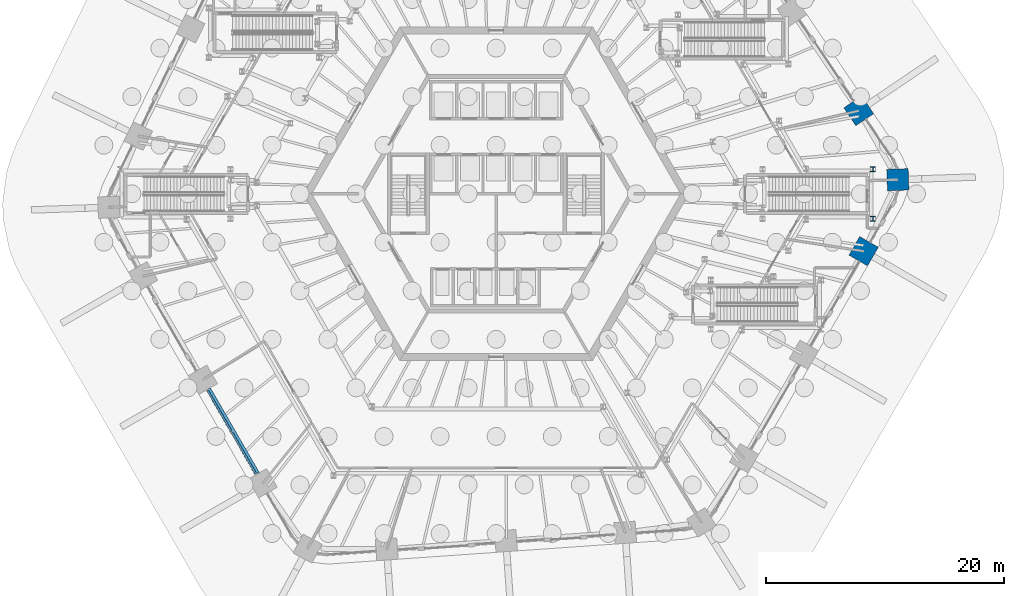
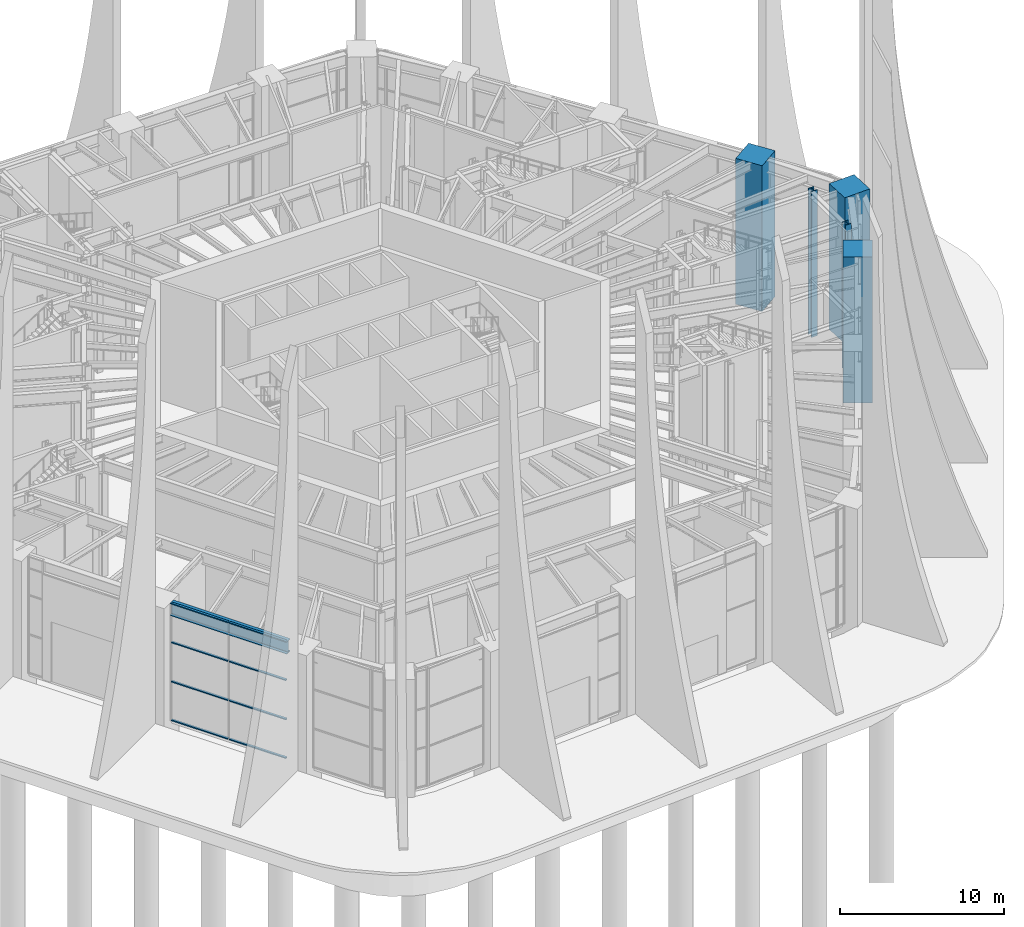
# One storey, part 3 of 43: 8 members, 5 columns, 1 beam, 1 element without a shape of its own.
"""IFC4 building model written with IfcOpenShell, lengths in metres."""

from ifc_helpers import new_model, si_unit, direction, frame, origin, origin_2d, place, context, subcontext, project, spatial, rectangle, i_section, extrude, material, material_profile, profile_set, type_object, element, aggregate, save


model = new_model("IFC4")

# Units and contexts
model_context = context("Model", 3, precision=1e-05, world=origin(), true_north=direction((0.0, 1.0)))
body_context = subcontext(model_context, "Body", "Model", "MODEL_VIEW")
ifc_project = project(units=[si_unit("LENGTHUNIT", "METRE"), si_unit("AREAUNIT", "SQUARE_METRE"), si_unit("VOLUMEUNIT", "CUBIC_METRE"), si_unit("PLANEANGLEUNIT", "RADIAN"), si_unit("MASSUNIT", "GRAM", prefix="KILO")], contexts=[model_context])

# Site, building, storey
site_placement = place(None, origin())
site = spatial("IfcSite", under=ifc_project, at=site_placement, CompositionType="ELEMENT")
building_placement = place(site_placement, origin())
building = spatial("IfcBuilding", under=site, at=building_placement, Name="Tarnside Tower", CompositionType="ELEMENT")
storey_placement = place(building_placement, origin())
storey = spatial("IfcBuildingStorey", under=building, at=storey_placement, Name="L00", CompositionType="ELEMENT", Elevation=0.0)

# Columns
ifc_material_1 = material(Name="Concrete C80/95", Category="concrete")
ifc_material_profile_1 = material_profile(ifc_material_1, rectangle(XDim=1.800048828125, YDim=1.800048828125, at=origin_2d()), Name="Mega column 1800x1800")
ifc_profile_set_1 = profile_set([ifc_material_profile_1], Name="Concrete C80/95")
column_type_1 = type_object("IfcColumnType", Name="Mega column 1800 C80/95", PredefinedType="COLUMN", material=ifc_profile_set_1)
for number, where, z_axis, x_axis, name in (
    (1, (30.818603515625, -4.8203125, -2.10009765625), (0.0, 0.0, 1.0), (-0.5, -0.866025403784, 0.0), "Mega column M19"),
    (2, (33.6845703125, 1.17626953125, -2.10009765625), (0.0, 0.0, 1.0), (0.034899496703, -0.999390827019, 0.0), "Mega column M20"),
    (3, (30.407470703125, 6.95849609375, -2.10009765625), (0.0, 0.0, 1.0), (0.559192903471, -0.829037572555, 0.0), "Mega column M21"),
):
    element("IfcColumn", number, at=place(storey_placement, frame(where, z_axis=z_axis, x_axis=x_axis)), inside=storey, type_object=column_type_1, Name=name, PredefinedType="COLUMN", context=body_context, shape_type="SweptSolid", body=[
        extrude(rectangle(XDim=1.800048828125, YDim=1.800048828125, at=origin_2d()), origin(), (0.0, 0.0, 1.0), 10.85009765625),
    ])
ifc_material_2 = material(Name="Steel S460", Category="steel")
ifc_material_profile_2 = material_profile(ifc_material_2, i_section(OverallWidth=0.412109375, OverallDepth=0.4365234375, WebThickness=0.035888671875, FlangeThickness=0.05810546875, FilletRadius=0.01513671875, at=origin_2d()), Name="UC 356x406x467")
ifc_profile_set_2 = profile_set([ifc_material_profile_2], Name="Steel S460")
column_type_2 = type_object("IfcColumnType", Name="Steel column UC 356x406x467", PredefinedType="COLUMN", material=ifc_profile_set_2)
for number, where, z_axis, x_axis, name in (
    (4, (31.59521484375, 2.04541015625, -2.10009765625), (0.0, 0.0, 1.0), (1.0, 0.0, 0.0), "Trimmer column V01.06"),
    (5, (31.59521484375, -2.09521484375, -2.10009765625), (0.0, 0.0, 1.0), (1.0, 0.0, 0.0), "Trimmer column V01.07"),
):
    element("IfcColumn", number, at=place(storey_placement, frame(where, z_axis=z_axis, x_axis=x_axis)), inside=storey, type_object=column_type_2, Name=name, PredefinedType="COLUMN", context=body_context, shape_type="SweptSolid", body=[
        extrude(i_section(OverallWidth=0.412109375, OverallDepth=0.4365234375, WebThickness=0.035888671875, FlangeThickness=0.05810546875, FilletRadius=0.01513671875, at=origin_2d()), origin(), (0.0, 0.0, 1.0), 10.85009765625),
    ])

# Beam
ifc_material_profile_3 = material_profile(ifc_material_2, i_section(OverallWidth=0.42041015625, OverallDepth=0.9208984375, WebThickness=0.021484375, FlangeThickness=0.03662109375, FilletRadius=0.024169921875, at=origin_2d()), Name="UB 914x419x388")
ifc_profile_set_3 = profile_set([ifc_material_profile_3], Name="Steel S460")
beam_type = type_object("IfcBeamType", Name="Perimeter girder UB 914x419x388", PredefinedType="BEAM", material=ifc_profile_set_3)
beam_placement = place(storey_placement, frame((-24.145751953125, -16.378173828125, 8.28955078125), z_axis=(0.499989712218, -0.866031343357, 0.0), x_axis=(0.866031343357, 0.499989712218, 0.0)))
element("IfcBeam", 6, at=beam_placement, inside=storey, type_object=beam_type, Name="Perimeter girder M10", PredefinedType="BEAM", context=body_context, shape_type="SweptSolid", body=[
    extrude(i_section(OverallWidth=0.42041015625, OverallDepth=0.9208984375, WebThickness=0.021484375, FlangeThickness=0.03662109375, FilletRadius=0.024169921875, at=origin_2d()), origin(), (0.0, 0.0, 1.0), 8.223876953125),
])

# Curtain wall, members
ifc_material_3 = material(Name="Station concourse glazing wall", Category="glass")
curtain_wall_type = type_object("IfcCurtainWallType", Name="Station concourse glazing wall", PredefinedType="NOTDEFINED", material=ifc_material_3)
curtain_wall_placement = place(storey_placement, origin())
curtain_wall = element("IfcCurtainWall", 7, at=curtain_wall_placement, inside=storey, type_object=curtain_wall_type, Name="Station concourse glazing L00 09.0", PredefinedType="NOTDEFINED")
ifc_material_4 = material(Name="Aluminium alloy 6063", Category="aluminium")
ifc_material_profile_4 = material_profile(ifc_material_4, rectangle(XDim=0.159912109375, YDim=0.080078125, at=origin_2d()), Name="Station concourse glazing transom 80 x 160")
ifc_profile_set_4 = profile_set([ifc_material_profile_4], Name="Aluminium alloy 6063")
member_type = type_object("IfcMemberType", Name="Station concourse glazing transom 80 x 160", PredefinedType="USERDEFINED", material=ifc_profile_set_4)
member_1_placement = place(storey_placement, frame((-24.1923828125, -16.49755859375, 0.0400390625), z_axis=(0.499987164874, -0.866032814021, 0.0), x_axis=(0.866032814021, 0.499987164874, 0.0)))
member_1 = element("IfcMember", 8, at=member_1_placement, type_object=member_type, Name="CW1 transom 1.1", ObjectType="TRANSOM", PredefinedType="USERDEFINED", context=body_context, shape_type="SweptSolid", body=[
    extrude(rectangle(XDim=0.159912109375, YDim=0.080078125, at=origin_2d()), origin(), (0.0, 0.0, 1.0), 3.99169921875),
])
member_2_placement = place(storey_placement, frame((-24.1923828125, -16.49755859375, 2.916748046875), z_axis=(0.499987164874, -0.866032814021, 0.0), x_axis=(0.866032814021, 0.499987164874, 0.0)))
member_2 = element("IfcMember", 9, at=member_2_placement, type_object=member_type, Name="CW1 transom 1.2", ObjectType="TRANSOM", PredefinedType="USERDEFINED", context=body_context, shape_type="SweptSolid", body=[
    extrude(rectangle(XDim=0.159912109375, YDim=0.080078125, at=origin_2d()), origin(), (0.0, 0.0, 1.0), 3.99169921875),
])
member_3_placement = place(storey_placement, frame((-24.1923828125, -16.49755859375, 5.833251953125), z_axis=(0.499987164874, -0.866032814021, 0.0), x_axis=(0.866032814021, 0.499987164874, 0.0)))
member_3 = element("IfcMember", 10, at=member_3_placement, type_object=member_type, Name="CW1 transom 1.3", ObjectType="TRANSOM", PredefinedType="USERDEFINED", context=body_context, shape_type="SweptSolid", body=[
    extrude(rectangle(XDim=0.159912109375, YDim=0.080078125, at=origin_2d()), origin(), (0.0, 0.0, 1.0), 3.99169921875),
])
member_4_placement = place(storey_placement, frame((-24.1923828125, -16.49755859375, 8.7099609375), z_axis=(0.499987164874, -0.866032814021, 0.0), x_axis=(0.866032814021, 0.499987164874, 0.0)))
member_4 = element("IfcMember", 11, at=member_4_placement, type_object=member_type, Name="CW1 transom 1.4", ObjectType="TRANSOM", PredefinedType="USERDEFINED", context=body_context, shape_type="SweptSolid", body=[
    extrude(rectangle(XDim=0.159912109375, YDim=0.080078125, at=origin_2d()), origin(), (0.0, 0.0, 1.0), 3.99169921875),
])
member_5_placement = place(storey_placement, frame((-22.156494140625, -20.02392578125, 0.0400390625), z_axis=(0.499987164874, -0.866032814021, 0.0), x_axis=(0.866032814021, 0.499987164874, 0.0)))
member_5 = element("IfcMember", 12, at=member_5_placement, type_object=member_type, Name="CW1 transom 2.1", ObjectType="TRANSOM", PredefinedType="USERDEFINED", context=body_context, shape_type="SweptSolid", body=[
    extrude(rectangle(XDim=0.159912109375, YDim=0.080078125, at=origin_2d()), origin(), (0.0, 0.0, 1.0), 3.99169921875),
])
member_6_placement = place(storey_placement, frame((-22.156494140625, -20.02392578125, 2.916748046875), z_axis=(0.499987164874, -0.866032814021, 0.0), x_axis=(0.866032814021, 0.499987164874, 0.0)))
member_6 = element("IfcMember", 13, at=member_6_placement, type_object=member_type, Name="CW1 transom 2.2", ObjectType="TRANSOM", PredefinedType="USERDEFINED", context=body_context, shape_type="SweptSolid", body=[
    extrude(rectangle(XDim=0.159912109375, YDim=0.080078125, at=origin_2d()), origin(), (0.0, 0.0, 1.0), 3.99169921875),
])
member_7_placement = place(storey_placement, frame((-22.156494140625, -20.02392578125, 5.833251953125), z_axis=(0.499987164874, -0.866032814021, 0.0), x_axis=(0.866032814021, 0.499987164874, 0.0)))
member_7 = element("IfcMember", 14, at=member_7_placement, type_object=member_type, Name="CW1 transom 2.3", ObjectType="TRANSOM", PredefinedType="USERDEFINED", context=body_context, shape_type="SweptSolid", body=[
    extrude(rectangle(XDim=0.159912109375, YDim=0.080078125, at=origin_2d()), origin(), (0.0, 0.0, 1.0), 3.99169921875),
])
member_8_placement = place(storey_placement, frame((-22.156494140625, -20.02392578125, 8.7099609375), z_axis=(0.499987164874, -0.866032814021, 0.0), x_axis=(0.866032814021, 0.499987164874, 0.0)))
member_8 = element("IfcMember", 15, at=member_8_placement, type_object=member_type, Name="CW1 transom 2.4", ObjectType="TRANSOM", PredefinedType="USERDEFINED", context=body_context, shape_type="SweptSolid", body=[
    extrude(rectangle(XDim=0.159912109375, YDim=0.080078125, at=origin_2d()), origin(), (0.0, 0.0, 1.0), 3.99169921875),
])
aggregate(curtain_wall, [member_1, member_2, member_3, member_4, member_5, member_6, member_7, member_8])

save(model, "model.ifc")
